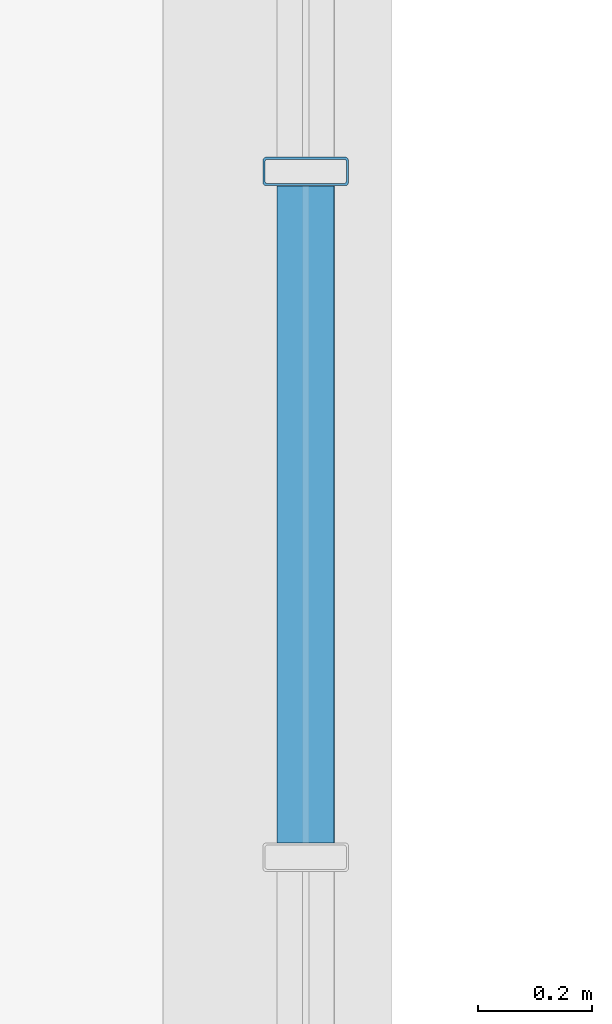
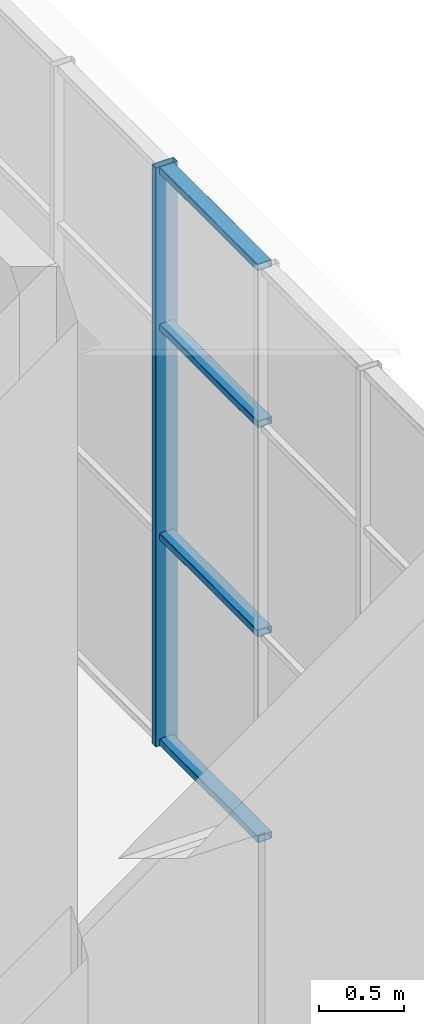
# One storey, part 38 of 125: 5 members, 1 element without a shape of its own.
"""IFC4 building model written with IfcOpenShell, lengths in metres."""

import ifcopenshell
import ifcopenshell.guid

model = None  # the IFC model being written
_history = None  # IfcOwnerHistory: only IFC2X3 demands one
_inside = {}  # id of a spatial element -> (the spatial element, [elements in it])
_under = {}  # id of a project, library or spatial element -> (it, [spatial elements below it])
_declared = {}  # id of a project -> (the project, [libraries it declares])
_typed = {}  # id of a type object -> (the type object, [elements of that type])
_made_of = {}  # id of a material, layer set ... -> (it, [elements and type objects made of it])


def new_model(schema):
    """Start an empty IFC model of exactly this schema.

    Asked for "IFC4X3", IfcOpenShell would pick the latest addendum, in which some entities
    have other attributes; the version numbers below select the first issue.
    IFC2X3 requires an IfcOwnerHistory on every rooted entity: one is made here for all.
    """
    global model, _history
    if schema == "IFC4X3":
        model = ifcopenshell.file(schema_version=(4, 3, 0, 0))
    else:
        model = ifcopenshell.file(schema=schema)
    _inside.clear()
    _under.clear()
    _declared.clear()
    _typed.clear()
    _made_of.clear()
    _history = None
    if model.schema == "IFC2X3":
        org = make("IfcOrganization", Name="unknown")
        user = make(
            "IfcPersonAndOrganization",
            ThePerson=make("IfcPerson", FamilyName="unknown"),
            TheOrganization=org,
        )
        app = make(
            "IfcApplication",
            ApplicationDeveloper=org,
            Version="unknown",
            ApplicationFullName="unknown",
            ApplicationIdentifier="unknown",
        )
        _history = make(
            "IfcOwnerHistory",
            OwningUser=user,
            OwningApplication=app,
            ChangeAction="ADDED",
            CreationDate=0,
        )
    return model


def make(cls, **values):
    """One entity of the class cls with the attributes given. An attribute that is None is left unset."""
    return model.create_entity(
        cls, **{name: value for name, value in values.items() if value is not None}
    )


def rooted(cls, **values):
    """An entity with a GlobalId (a new one), such as an element, a storey or a relation."""
    return make(cls, GlobalId=ifcopenshell.guid.new(), OwnerHistory=_history, **values)


def si_unit(unit_type, name, prefix=None):
    """IfcSIUnit, for example si_unit("LENGTHUNIT", "METRE", prefix="MILLI")."""
    return make("IfcSIUnit", UnitType=unit_type, Prefix=prefix, Name=name)


def assignment(units):
    """IfcUnitAssignment: the units of a project."""
    return None if units is None else make("IfcUnitAssignment", Units=units)


def point(xyz):
    """IfcCartesianPoint."""
    return None if xyz is None else make("IfcCartesianPoint", Coordinates=xyz)


def direction(xyz):
    """IfcDirection."""
    return None if xyz is None else make("IfcDirection", DirectionRatios=xyz)


def frame(location, z_axis=None, x_axis=None):
    """IfcAxis2Placement3D, a coordinate frame: its origin and axes. An axis left out is left unset."""
    return make(
        "IfcAxis2Placement3D",
        Location=point(location),
        Axis=direction(z_axis),
        RefDirection=direction(x_axis),
    )


def frame_2d(location, x_axis=None):
    """IfcAxis2Placement2D, a coordinate frame in the plane: its origin and x axis."""
    return make(
        "IfcAxis2Placement2D", Location=point(location), RefDirection=direction(x_axis)
    )


def origin():
    """The frame at (0, 0, 0) with its axes left unset."""
    return frame((0.0, 0.0, 0.0))


def origin_2d():
    """The frame at (0, 0) in the plane with its x axis left unset."""
    return frame_2d((0.0, 0.0))


def place(relative_to, where):
    """IfcLocalPlacement: puts the frame where relative to a parent placement (None: the world)."""
    return make(
        "IfcLocalPlacement", PlacementRelTo=relative_to, RelativePlacement=where
    )


def context(
    kind, dimensions, precision=None, world=None, true_north=None, identifier=None
):
    """IfcGeometricRepresentationContext, for example the 3D "Model" context."""
    return make(
        "IfcGeometricRepresentationContext",
        ContextIdentifier=identifier,
        ContextType=kind,
        CoordinateSpaceDimension=dimensions,
        Precision=precision,
        WorldCoordinateSystem=world,
        TrueNorth=true_north,
    )


def subcontext(parent, identifier, kind, view, scale=None):
    """IfcGeometricRepresentationSubContext, for example "Body" below "Model"."""
    return make(
        "IfcGeometricRepresentationSubContext",
        ContextIdentifier=identifier,
        ContextType=kind,
        ParentContext=parent,
        TargetScale=scale,
        TargetView=view,
    )


def project(units=None, contexts=None):
    """IfcProject with its units and contexts."""
    return rooted(
        "IfcProject",
        Name="project",
        RepresentationContexts=contexts,
        UnitsInContext=assignment(units),
    )


def spatial(cls, under=None, at=None, **own):
    """A site, building, storey or space (cls), placed at a placement, below another one or the project."""
    s = rooted(cls, ObjectPlacement=at, **own)
    if under is not None:
        _under.setdefault(under.id(), (under, []))[1].append(s)
    return s


def profile(cls, at=None, kind="AREA", **sizes):
    """A parametric profile (cls). Its sizes go by their IFC names, for example OverallWidth=200.0."""
    return make(cls, ProfileType=kind, Position=at, **sizes)


def hollow_rectangle(**sizes):
    """IfcRectangleHollowProfileDef."""
    return profile("IfcRectangleHollowProfileDef", **sizes)


def extrude(swept, where, along, depth):
    """IfcExtrudedAreaSolid: the profile swept, set in the frame where, extruded along a direction by depth."""
    return make(
        "IfcExtrudedAreaSolid",
        SweptArea=swept,
        Position=where,
        ExtrudedDirection=direction(along),
        Depth=depth,
    )


def shape(context_of_items, identifier, shape_type, items):
    """IfcShapeRepresentation: the items that make up one representation, for example the "Body"."""
    return make(
        "IfcShapeRepresentation",
        ContextOfItems=context_of_items,
        RepresentationIdentifier=identifier,
        RepresentationType=shape_type,
        Items=items,
    )


def material(Name=None, Category=None):
    """IfcMaterial."""
    return make("IfcMaterial", Name=Name, Category=Category)


def material_profile(
    of_material, cross_section, Name=None, Category=None, Priority=None
):
    """IfcMaterialProfile: a cross section and its material."""
    return make(
        "IfcMaterialProfile",
        Name=Name,
        Material=of_material,
        Profile=cross_section,
        Priority=Priority,
        Category=Category,
    )


def profile_set(profiles, Name=None, composite=None):
    """IfcMaterialProfileSet."""
    return make(
        "IfcMaterialProfileSet",
        Name=Name,
        MaterialProfiles=profiles,
        CompositeProfile=composite,
    )


def made_of(thing, what):
    """Note that an element or type object is made of a material, layer set ...; save() writes the relation."""
    if what is not None:
        _made_of.setdefault(what.id(), (what, []))[1].append(thing)
    return thing


def type_object(cls, material=None, **own):
    """A type object (cls), such as IfcWallType, which elements share."""
    return made_of(rooted(cls, **own), material)


def element(
    cls,
    number,
    at=None,
    inside=None,
    cuts=None,
    type_object=None,
    material=None,
    context=None,
    identifier="Body",
    shape_type=None,
    held_by="IfcProductDefinitionShape",
    body=None,
    shapes=None,
    **own,
):
    """One element of the class cls, such as IfcWall. Its Tag is "e" and its number.

    at: its placement. inside: the storey or other place that contains it. cuts: it is an
    opening in that element (IfcRelVoidsElement). A single representation is given by context,
    identifier, shape_type and body (its items); several are given by shapes. held_by: the class
    of the entity that holds the representations. save() writes the other relations.
    """
    e = rooted(cls, Tag="e%d" % number, ObjectPlacement=at, **own)
    if body is not None:
        shapes = [shape(context, identifier, shape_type, body)]
    if shapes is not None:
        e.Representation = make(held_by, Representations=shapes)
    if inside is not None:
        _inside.setdefault(inside.id(), (inside, []))[1].append(e)
    if cuts is not None:
        rooted(
            "IfcRelVoidsElement", RelatingBuildingElement=cuts, RelatedOpeningElement=e
        )
    if type_object is not None:
        _typed.setdefault(type_object.id(), (type_object, []))[1].append(e)
    return made_of(e, material)


def aggregate(whole, parts):
    """IfcRelAggregates: a whole, such as a stair, and the parts it consists of."""
    return rooted("IfcRelAggregates", RelatingObject=whole, RelatedObjects=parts)


def save(model, path):
    """Write the relations noted so far, then the file.

    IfcRelAggregates (storeys below a building ...), IfcRelContainedInSpatialStructure (elements
    in a storey), IfcRelDefinesByType, IfcRelAssociatesMaterial and IfcRelDeclares: one each for
    every whole, place, type object, material and project.
    """
    for whole, parts in _under.values():
        aggregate(whole, parts)
    for where, things in _inside.values():
        rooted(
            "IfcRelContainedInSpatialStructure",
            RelatedElements=things,
            RelatingStructure=where,
        )
    for kind, things in _typed.values():
        rooted("IfcRelDefinesByType", RelatedObjects=things, RelatingType=kind)
    for what, things in _made_of.values():
        rooted("IfcRelAssociatesMaterial", RelatedObjects=things, RelatingMaterial=what)
    for by, libraries in _declared.values():
        rooted("IfcRelDeclares", RelatingContext=by, RelatedDefinitions=libraries)
    model.write(path)


model = new_model("IFC4")

# Units and contexts
model_context = context("Model", 3, precision=1e-05, world=origin(), true_north=direction((0.0, 1.0)))
body_context = subcontext(model_context, "Body", "Model", "MODEL_VIEW")
ifc_project = project(units=[si_unit("LENGTHUNIT", "METRE"), si_unit("AREAUNIT", "SQUARE_METRE"), si_unit("VOLUMEUNIT", "CUBIC_METRE"), si_unit("PLANEANGLEUNIT", "RADIAN"), si_unit("MASSUNIT", "GRAM", prefix="KILO")], contexts=[model_context])

# Site, building, storey
site_placement = place(None, origin())
site = spatial("IfcSite", under=ifc_project, at=site_placement, CompositionType="ELEMENT")
building_placement = place(site_placement, origin())
building = spatial("IfcBuilding", under=site, at=building_placement, Name="Sun Court Science Centre", CompositionType="ELEMENT")
storey_placement = place(building_placement, frame((0.0, 0.0, 6.0)))
storey = spatial("IfcBuildingStorey", under=building, at=storey_placement, Name="L01", CompositionType="ELEMENT", Elevation=6.0)

# Curtain wall, members
ifc_material_1 = material(Name="Aluminium EN AW-6063 T6", Category="aluminium")
curtain_wall_type = type_object("IfcCurtainWallType", Name="Pavilion curtain wall 1200", PredefinedType="NOTDEFINED", material=ifc_material_1)
curtain_wall_placement = place(storey_placement, origin())
curtain_wall = element("IfcCurtainWall", 1, at=curtain_wall_placement, inside=storey, type_object=curtain_wall_type, Name="Curtain wall V5 E L01 01", PredefinedType="NOTDEFINED")
ifc_material_2 = material(Name="Aluminium EN AW-6063 T6", Category="aluminium")
ifc_material_profile_1 = material_profile(ifc_material_2, hollow_rectangle(XDim=0.050048828125, YDim=0.14990234375, WallThickness=0.00390625, InnerFilletRadius=0.00390625, OuterFilletRadius=0.006103515625, at=origin_2d()), Name="AL 50x150x4")
ifc_profile_set_1 = profile_set([ifc_material_profile_1], Name="Aluminium EN AW-6063 T6")
member_type_1 = type_object("IfcMemberType", Name="Curtain wall mullion AL 50x150", PredefinedType="MULLION", material=ifc_profile_set_1)
member_1_placement = place(storey_placement, frame((65.85009765625, 43.60009765625, 0.0), z_axis=(0.0, 0.0, 1.0), x_axis=(0.0, -1.0, 0.0)))
member_1 = element("IfcMember", 2, at=member_1_placement, type_object=member_type_1, Name="CW3-21 mullion 6", PredefinedType="MULLION", context=body_context, shape_type="SweptSolid", body=[
    extrude(hollow_rectangle(XDim=0.050048828125, YDim=0.14990234375, WallThickness=0.00390625, InnerFilletRadius=0.00390625, OuterFilletRadius=0.006103515625, at=origin_2d()), origin(), (0.0, 0.0, 1.0), 4.14990234375),
])
ifc_material_3 = material(Name="Aluminium EN AW-6063 T6", Category="aluminium")
ifc_material_profile_2 = material_profile(ifc_material_3, hollow_rectangle(XDim=0.050048828125, YDim=0.10009765625, WallThickness=0.00390625, InnerFilletRadius=0.00390625, OuterFilletRadius=0.006103515625, at=origin_2d()), Name="AL 50x100x4")
ifc_profile_set_2 = profile_set([ifc_material_profile_2], Name="Aluminium EN AW-6063 T6")
member_type_2 = type_object("IfcMemberType", Name="Curtain wall transom AL 50x100", PredefinedType="USERDEFINED", material=ifc_profile_set_2)
member_2_placement = place(storey_placement, frame((65.85009765625, 43.574951171875, 0.02490234375), z_axis=(0.0, -1.0, 0.0), x_axis=(0.0, 0.0, 1.0)))
member_2 = element("IfcMember", 3, at=member_2_placement, type_object=member_type_2, Name="CW3-21 transom 6.1", ObjectType="TRANSOM", PredefinedType="USERDEFINED", context=body_context, shape_type="SweptSolid", body=[
    extrude(hollow_rectangle(XDim=0.050048828125, YDim=0.10009765625, WallThickness=0.00390625, InnerFilletRadius=0.00390625, OuterFilletRadius=0.006103515625, at=origin_2d()), origin(), (0.0, 0.0, 1.0), 1.14990234375),
])
member_3_placement = place(storey_placement, frame((65.85009765625, 43.574951171875, 1.5), z_axis=(0.0, -1.0, 0.0), x_axis=(0.0, 0.0, 1.0)))
member_3 = element("IfcMember", 4, at=member_3_placement, type_object=member_type_2, Name="CW3-21 transom 6.2", ObjectType="TRANSOM", PredefinedType="USERDEFINED", context=body_context, shape_type="SweptSolid", body=[
    extrude(hollow_rectangle(XDim=0.050048828125, YDim=0.10009765625, WallThickness=0.00390625, InnerFilletRadius=0.00390625, OuterFilletRadius=0.006103515625, at=origin_2d()), origin(), (0.0, 0.0, 1.0), 1.14990234375),
])
member_4_placement = place(storey_placement, frame((65.85009765625, 43.574951171875, 3.0), z_axis=(0.0, -1.0, 0.0), x_axis=(0.0, 0.0, 1.0)))
member_4 = element("IfcMember", 5, at=member_4_placement, type_object=member_type_2, Name="CW3-21 transom 6.3", ObjectType="TRANSOM", PredefinedType="USERDEFINED", context=body_context, shape_type="SweptSolid", body=[
    extrude(hollow_rectangle(XDim=0.050048828125, YDim=0.10009765625, WallThickness=0.00390625, InnerFilletRadius=0.00390625, OuterFilletRadius=0.006103515625, at=origin_2d()), origin(), (0.0, 0.0, 1.0), 1.14990234375),
])
member_5_placement = place(storey_placement, frame((65.85009765625, 43.574951171875, 4.125), z_axis=(0.0, -1.0, 0.0), x_axis=(0.0, 0.0, 1.0)))
member_5 = element("IfcMember", 6, at=member_5_placement, type_object=member_type_2, Name="CW3-21 transom 6.4", ObjectType="TRANSOM", PredefinedType="USERDEFINED", context=body_context, shape_type="SweptSolid", body=[
    extrude(hollow_rectangle(XDim=0.050048828125, YDim=0.10009765625, WallThickness=0.00390625, InnerFilletRadius=0.00390625, OuterFilletRadius=0.006103515625, at=origin_2d()), origin(), (0.0, 0.0, 1.0), 1.14990234375),
])
aggregate(curtain_wall, [member_1, member_2, member_3, member_4, member_5])

save(model, "model.ifc")
